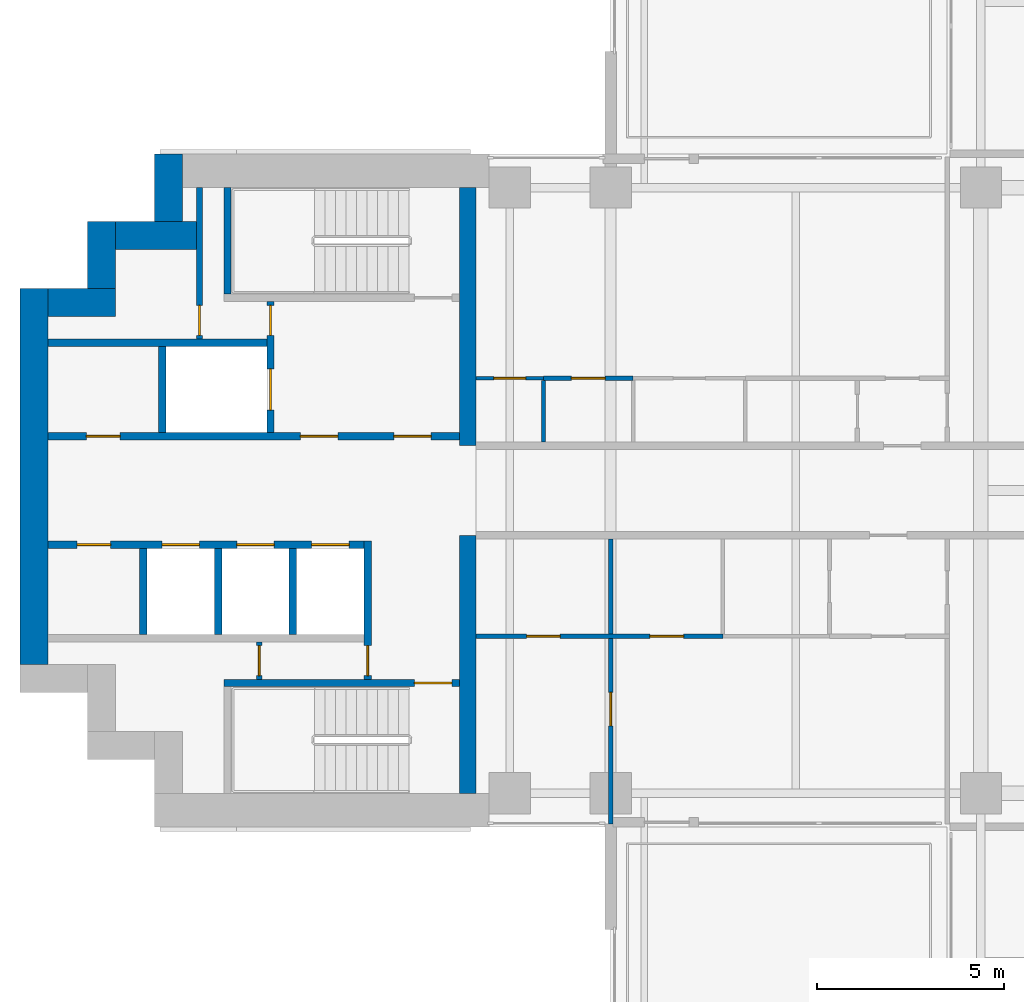
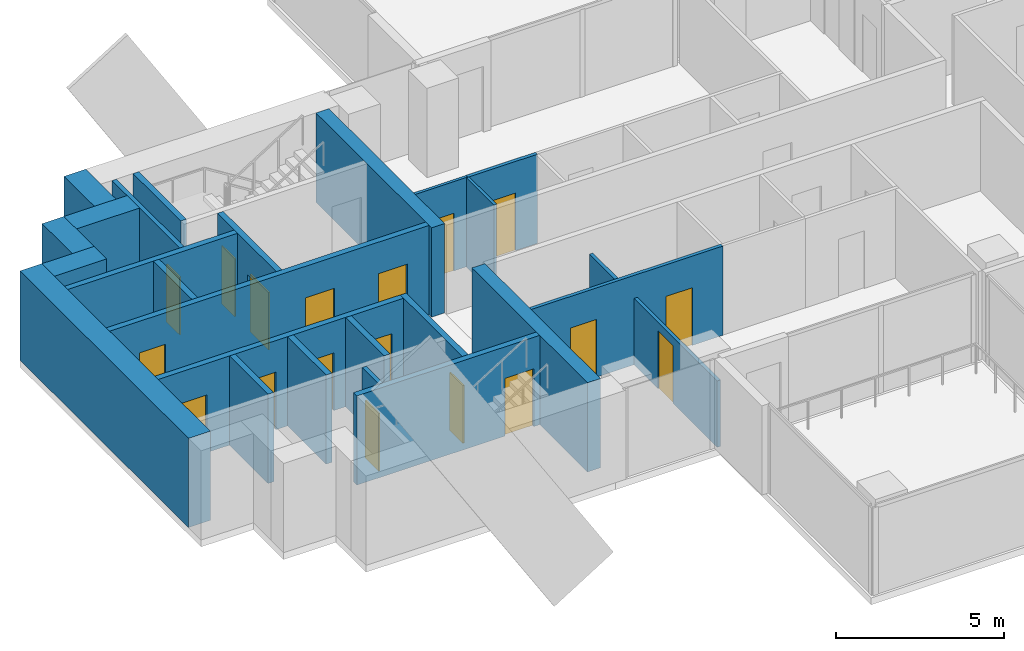
# One storey, part 9 of 19: 25 walls, 18 doors, 18 openings.
"""IFC4 building model written with IfcOpenShell, lengths in metres."""

from ifc_helpers import new_model, si_unit, direction, frame, frame_2d, origin, place, context, subcontext, project, spatial, rectangle, extrude, material, layer, layer_set, type_object, element, fill, save


model = new_model("IFC4")

# Units and contexts
model_context = context("Model", 3, precision=1e-05, world=origin(), true_north=direction((0.0, 1.0)))
body_context = subcontext(model_context, "Body", "Model", "MODEL_VIEW")
ifc_project = project(units=[si_unit("LENGTHUNIT", "METRE"), si_unit("AREAUNIT", "SQUARE_METRE"), si_unit("VOLUMEUNIT", "CUBIC_METRE"), si_unit("PLANEANGLEUNIT", "RADIAN"), si_unit("MASSUNIT", "GRAM", prefix="KILO")], contexts=[model_context])

# Site, building, storey
site_placement = place(None, origin())
site = spatial("IfcSite", under=ifc_project, at=site_placement, CompositionType="ELEMENT")
building_placement = place(site_placement, origin())
building = spatial("IfcBuilding", under=site, at=building_placement, Name="Perihelion Cross Residences", CompositionType="ELEMENT")
storey_placement = place(building_placement, frame((0.0, 0.0, 126.89990234375)))
storey = spatial("IfcBuildingStorey", under=building, at=storey_placement, Name="L30", CompositionType="ELEMENT", Elevation=126.89990234375)

# Walls
ifc_material_1 = material(Name="Concrete C60/75", Category="concrete")
ifc_layer_1 = layer(ifc_material_1, 0.449951171875)
ifc_layer_set_1 = layer_set([ifc_layer_1], Name="Core wall, inner 450")
wall_type_1 = type_object("IfcWallType", Name="Core wall, inner 450", PredefinedType="SHEAR", material=ifc_layer_set_1)
for number, where, z_axis, x_axis, name in (
    (1, (-21.824951171875, -8.10009765625, 0.0), (0.0, 0.0, 1.0), (0.0, 1.0, 0.0), "West core core wall, inner"),
    (2, (-21.824951171875, 1.199951171875, 0.0), (0.0, 0.0, 1.0), (0.0, 1.0, 0.0), "West core core wall, inner"),
):
    element("IfcWall", number, at=place(storey_placement, frame(where, z_axis=z_axis, x_axis=x_axis)), inside=storey, type_object=wall_type_1, Name=name, PredefinedType="SHEAR", context=body_context, shape_type="SweptSolid", body=[
        extrude(rectangle(XDim=6.900146484375, YDim=0.449951171875, at=frame_2d((3.4501953125, 0.0))), origin(), (0.0, 0.0, 1.0), 3.25),
    ])
ifc_material_2 = material(Name="Concrete C60/75", Category="concrete")
ifc_layer_2 = layer(ifc_material_2, 0.75)
ifc_layer_set_2 = layer_set([ifc_layer_2], Name="Core wall, outer 750")
wall_type_2 = type_object("IfcWallType", Name="Core wall, outer 750", PredefinedType="SHEAR", material=ifc_layer_set_2)
wall_1_placement = place(storey_placement, frame((-33.425048828125, -4.64990234375, 0.0), z_axis=(0.0, 0.0, 1.0), x_axis=(0.0, 1.0, 0.0)))
element("IfcWall", 3, at=wall_1_placement, inside=storey, type_object=wall_type_2, Name="West core core wall, outer", PredefinedType="SHEAR", context=body_context, shape_type="SweptSolid", body=[
    extrude(rectangle(XDim=10.0498046875, YDim=0.75, at=frame_2d((5.02490234375, 0.0))), origin(), (0.0, 0.0, 1.0), 3.25),
])
for number, where, z_axis, x_axis, name in (
    (4, (-33.050048828125, 5.02490234375, 0.0), (0.0, 0.0, 1.0), (1.0, 0.0, 0.0), "West core core wall, outer"),
    (5, (-31.625, 5.39990234375, 0.0), (0.0, 0.0, 1.0), (0.0, 1.0, 0.0), "West core core wall, outer"),
):
    element("IfcWall", number, at=place(storey_placement, frame(where, z_axis=z_axis, x_axis=x_axis)), inside=storey, type_object=wall_type_2, Name=name, PredefinedType="SHEAR", context=body_context, shape_type="SweptSolid", body=[
        extrude(rectangle(XDim=1.800048828125, YDim=0.75, at=frame_2d((0.89990234375, 0.0))), origin(), (0.0, 0.0, 1.0), 3.25),
    ])
wall_2_placement = place(storey_placement, frame((-31.25, 6.824951171875, 0.0), z_axis=(0.0, 0.0, 1.0), x_axis=(1.0, 0.0, 0.0)))
element("IfcWall", 6, at=wall_2_placement, inside=storey, type_object=wall_type_2, Name="West core core wall, outer", PredefinedType="SHEAR", context=body_context, shape_type="SweptSolid", body=[
    extrude(rectangle(XDim=2.175048828125, YDim=0.75, at=frame_2d((1.08740234375, 0.0))), origin(), (0.0, 0.0, 1.0), 3.25),
])
wall_3_placement = place(storey_placement, frame((-29.824951171875, 7.199951171875, 0.0), z_axis=(0.0, 0.0, 1.0), x_axis=(0.0, 1.0, 0.0)))
element("IfcWall", 7, at=wall_3_placement, inside=storey, type_object=wall_type_2, Name="West core core wall, outer", PredefinedType="SHEAR", context=body_context, shape_type="SweptSolid", body=[
    extrude(rectangle(XDim=1.800048828125, YDim=0.75, at=frame_2d((0.89990234375, 0.0))), origin(), (0.0, 0.0, 1.0), 3.25),
])

# Wall, opening, door
ifc_material_3 = material(Name="Concrete C50/60", Category="concrete")
ifc_layer_3 = layer(ifc_material_3, 0.199951171875)
ifc_layer_set_3 = layer_set([ifc_layer_3], Name="Lobby wall 200")
wall_type_3 = type_object("IfcWallType", Name="Lobby wall 200", PredefinedType="SOLIDWALL", material=ifc_layer_set_3)
wall_4_placement = place(storey_placement, frame((-24.5, -5.050048828125, 0.0), z_axis=(0.0, 0.0, 1.0), x_axis=(0.0, 1.0, 0.0)))
wall_4 = element("IfcWall", 8, at=wall_4_placement, inside=storey, type_object=wall_type_3, Name="West core lobby wall", PredefinedType="SOLIDWALL", context=body_context, shape_type="SweptSolid", body=[
    extrude(rectangle(XDim=3.699951171875, YDim=0.199951171875, at=frame_2d((1.85009765625, 0.0))), origin(), (0.0, 0.0, 1.0), 3.25),
])
opening_1_placement = place(wall_4_placement, frame((0.10009765625, 0.0, 0.0)))
opening_1 = element("IfcOpeningElement", 9, at=opening_1_placement, cuts=wall_4, Name="Opening L30.C22", PredefinedType="OPENING", context=body_context, shape_type="SweptSolid", body=[
    extrude(rectangle(XDim=0.800048828125, YDim=2.10009765625, at=frame_2d((0.39990234375, 1.050048828125))), frame((0.0, 0.10986328125, 0.0), z_axis=(0.0, -1.0, 0.0), x_axis=(1.0, 0.0, 0.0)), (0.0, 0.0, 1.0), 0.219970703125),
])
ifc_material_4 = material(Name="Steel, powder coated", Category="steel")
door_type_1 = type_object("IfcDoorType", Name="Riser door 800", OperationType="SINGLE_SWING_LEFT", PredefinedType="DOOR", material=ifc_material_4)
door_1_placement = place(opening_1_placement, origin())
door_1 = element("IfcDoor", 10, at=door_1_placement, inside=storey, type_object=door_type_1, Name="West core riser door", OperationType="SINGLE_SWING_LEFT", OverallHeight=2.10009765625, OverallWidth=0.800048828125, PredefinedType="DOOR", context=body_context, shape_type="SweptSolid", body=[
    extrude(rectangle(XDim=0.800048828125, YDim=2.10009765625, at=frame_2d((0.39990234375, 1.050048828125))), frame((0.0, 0.02490234375, 0.0), z_axis=(0.0, -1.0, 0.0), x_axis=(1.0, 0.0, 0.0)), (0.0, 0.0, 1.0), 0.050048828125),
])
fill(opening_1, door_1)

ifc_material_5 = material(Name="Plasterboard partition")
ifc_layer_4 = layer(ifc_material_5, 0.1201171875)
ifc_layer_set_4 = layer_set([ifc_layer_4], Name="Partition wall 120")
wall_type_4 = type_object("IfcWallType", Name="Partition wall 120", PredefinedType="PARTITIONING", material=ifc_layer_set_4)
wall_5_placement = place(storey_placement, frame((-19.800048828125, 3.0, 0.0), z_axis=(0.0, 0.0, 1.0), x_axis=(1.0, 0.0, 0.0)))
wall_5 = element("IfcWall", 11, at=wall_5_placement, inside=storey, type_object=wall_type_4, Name="Partition L30 W048", PredefinedType="PARTITIONING", context=body_context, shape_type="SweptSolid", body=[
    extrude(rectangle(XDim=2.400146484375, YDim=0.1201171875, at=frame_2d((1.2001953125, 0.0))), origin(), (0.0, 0.0, 1.0), 3.25),
])
opening_2_placement = place(wall_5_placement, frame((0.75, 0.0, 0.0)))
opening_2 = element("IfcOpeningElement", 12, at=opening_2_placement, cuts=wall_5, Name="Opening L30.A24", PredefinedType="OPENING", context=body_context, shape_type="SweptSolid", body=[
    extrude(rectangle(XDim=0.89990234375, YDim=2.10009765625, at=frame_2d((0.449951171875, 1.050048828125))), frame((0.0, 0.070068359375, 0.0), z_axis=(0.0, -1.0, 0.0), x_axis=(1.0, 0.0, 0.0)), (0.0, 0.0, 1.0), 0.14013671875),
])
ifc_material_6 = material(Name="Timber door leaf", Category="wood")
door_type_2 = type_object("IfcDoorType", Name="Interior room door 900 x 2100", OperationType="SINGLE_SWING_LEFT", PredefinedType="DOOR", material=ifc_material_6)
door_2_placement = place(opening_2_placement, origin())
door_2 = element("IfcDoor", 13, at=door_2_placement, inside=storey, type_object=door_type_2, Name="Door L30.A24", OperationType="SINGLE_SWING_LEFT", OverallHeight=2.10009765625, OverallWidth=0.89990234375, PredefinedType="DOOR", context=body_context, shape_type="SweptSolid", body=[
    extrude(rectangle(XDim=0.89990234375, YDim=2.10009765625, at=frame_2d((0.449951171875, 1.050048828125))), frame((0.0, 0.02490234375, 0.0), z_axis=(0.0, -1.0, 0.0), x_axis=(1.0, 0.0, 0.0)), (0.0, 0.0, 1.0), 0.050048828125),
])
fill(opening_2, door_2)

wall_6_placement = place(storey_placement, frame((-18.0, -8.919921875, 0.0), z_axis=(0.0, 0.0, 1.0), x_axis=(0.0, 1.0, 0.0)))
wall_6 = element("IfcWall", 14, at=wall_6_placement, inside=storey, type_object=wall_type_4, Name="Partition L30 W058", PredefinedType="PARTITIONING", context=body_context, shape_type="SweptSolid", body=[
    extrude(rectangle(XDim=7.619873046875, YDim=0.1201171875, at=frame_2d((3.81005859375, 0.0))), origin(), (0.0, 0.0, 1.0), 2.4140625),
])
opening_3_placement = place(wall_6_placement, frame((2.6201171875, 0.0, 0.0)))
opening_3 = element("IfcOpeningElement", 15, at=opening_3_placement, cuts=wall_6, Name="Opening L30.A29", PredefinedType="OPENING", context=body_context, shape_type="SweptSolid", body=[
    extrude(rectangle(XDim=0.89990234375, YDim=2.10009765625, at=frame_2d((0.449951171875, 1.050048828125))), frame((0.0, 0.070068359375, 0.0), z_axis=(0.0, -1.0, 0.0), x_axis=(1.0, 0.0, 0.0)), (0.0, 0.0, 1.0), 0.14013671875),
])
door_3_placement = place(opening_3_placement, origin())
door_3 = element("IfcDoor", 16, at=door_3_placement, inside=storey, type_object=door_type_2, Name="Door L30.A29", OperationType="SINGLE_SWING_RIGHT", OverallHeight=2.10009765625, OverallWidth=0.89990234375, PredefinedType="DOOR", context=body_context, shape_type="SweptSolid", body=[
    extrude(rectangle(XDim=0.89990234375, YDim=2.10009765625, at=frame_2d((0.449951171875, 1.050048828125))), frame((0.0, 0.02490234375, 0.0), z_axis=(0.0, -1.0, 0.0), x_axis=(1.0, 0.0, 0.0)), (0.0, 0.0, 1.0), 0.050048828125),
])
fill(opening_3, door_3)

# Wall, openings, doors
wall_7_placement = place(storey_placement, frame((-15.0, -3.89990234375, 0.0), z_axis=(0.0, 0.0, 1.0), x_axis=(-1.0, 0.0, 0.0)))
wall_7 = element("IfcWall", 17, at=wall_7_placement, inside=storey, type_object=wall_type_4, Name="Partition L30 W059", PredefinedType="PARTITIONING", context=body_context, shape_type="SweptSolid", body=[
    extrude(rectangle(XDim=6.60009765625, YDim=0.1201171875, at=frame_2d((3.300048828125, 0.0))), origin(), (0.0, 0.0, 1.0), 3.25),
])
opening_4_placement = place(wall_7_placement, frame((1.050048828125, 0.0, 0.0)))
opening_4 = element("IfcOpeningElement", 18, at=opening_4_placement, cuts=wall_7, Name="Opening L30.A26", PredefinedType="OPENING", context=body_context, shape_type="SweptSolid", body=[
    extrude(rectangle(XDim=0.89990234375, YDim=2.10009765625, at=frame_2d((0.449951171875, 1.050048828125))), frame((0.0, 0.070068359375, 0.0), z_axis=(0.0, -1.0, 0.0), x_axis=(1.0, 0.0, 0.0)), (0.0, 0.0, 1.0), 0.14013671875),
])
opening_5_placement = place(wall_7_placement, frame((4.35009765625, 0.0, 0.0)))
opening_5 = element("IfcOpeningElement", 19, at=opening_5_placement, cuts=wall_7, Name="Opening L30.A30", PredefinedType="OPENING", context=body_context, shape_type="SweptSolid", body=[
    extrude(rectangle(XDim=0.89990234375, YDim=2.10009765625, at=frame_2d((0.449951171875, 1.050048828125))), frame((0.0, 0.070068359375, 0.0), z_axis=(0.0, -1.0, 0.0), x_axis=(1.0, 0.0, 0.0)), (0.0, 0.0, 1.0), 0.14013671875),
])
door_4_placement = place(opening_4_placement, origin())
door_4 = element("IfcDoor", 20, at=door_4_placement, inside=storey, type_object=door_type_2, Name="Door L30.A26", OperationType="SINGLE_SWING_LEFT", OverallHeight=2.10009765625, OverallWidth=0.89990234375, PredefinedType="DOOR", context=body_context, shape_type="SweptSolid", body=[
    extrude(rectangle(XDim=0.89990234375, YDim=2.10009765625, at=frame_2d((0.449951171875, 1.050048828125))), frame((0.0, 0.02490234375, 0.0), z_axis=(0.0, -1.0, 0.0), x_axis=(1.0, 0.0, 0.0)), (0.0, 0.0, 1.0), 0.050048828125),
])
fill(opening_4, door_4)
door_5_placement = place(opening_5_placement, origin())
door_5 = element("IfcDoor", 21, at=door_5_placement, inside=storey, type_object=door_type_2, Name="Door L30.A30", OperationType="SINGLE_SWING_LEFT", OverallHeight=2.10009765625, OverallWidth=0.89990234375, PredefinedType="DOOR", context=body_context, shape_type="SweptSolid", body=[
    extrude(rectangle(XDim=0.89990234375, YDim=2.10009765625, at=frame_2d((0.449951171875, 1.050048828125))), frame((0.0, 0.02490234375, 0.0), z_axis=(0.0, -1.0, 0.0), x_axis=(1.0, 0.0, 0.0)), (0.0, 0.0, 1.0), 0.050048828125),
])
fill(opening_5, door_5)

# Wall, opening, door
ifc_material_7 = material(Name="Fire-rated board on steel stud", Category="steel")
ifc_layer_5 = layer(ifc_material_7, 0.14990234375)
ifc_layer_set_5 = layer_set([ifc_layer_5], Name="Riser wall 150")
wall_type_5 = type_object("IfcWallType", Name="Riser wall 150", PredefinedType="PARTITIONING", material=ifc_layer_set_5)
wall_8_placement = place(storey_placement, frame((-29.0, 4.050048828125, 0.0), z_axis=(0.0, 0.0, 1.0), x_axis=(0.0, 1.0, 0.0)))
wall_8 = element("IfcWall", 22, at=wall_8_placement, inside=storey, type_object=wall_type_5, Name="West core riser wall", PredefinedType="PARTITIONING", context=body_context, shape_type="SweptSolid", body=[
    extrude(rectangle(XDim=4.050048828125, YDim=0.14990234375, at=frame_2d((2.02490234375, 0.0))), origin(), (0.0, 0.0, 1.0), 3.25),
])
opening_6_placement = place(wall_8_placement, frame((0.10009765625, 0.0, 0.0)))
opening_6 = element("IfcOpeningElement", 23, at=opening_6_placement, cuts=wall_8, Name="Opening L30.C26", PredefinedType="OPENING", context=body_context, shape_type="SweptSolid", body=[
    extrude(rectangle(XDim=0.800048828125, YDim=2.10009765625, at=frame_2d((0.39990234375, 1.050048828125))), frame((0.0, 0.0849609375, 0.0), z_axis=(0.0, -1.0, 0.0), x_axis=(1.0, 0.0, 0.0)), (0.0, 0.0, 1.0), 0.169921875),
])
door_6_placement = place(opening_6_placement, origin())
door_6 = element("IfcDoor", 24, at=door_6_placement, inside=storey, type_object=door_type_1, Name="West core riser door", OperationType="SINGLE_SWING_LEFT", OverallHeight=2.10009765625, OverallWidth=0.800048828125, PredefinedType="DOOR", context=body_context, shape_type="SweptSolid", body=[
    extrude(rectangle(XDim=0.800048828125, YDim=2.10009765625, at=frame_2d((0.39990234375, 1.050048828125))), frame((0.0, 0.02490234375, 0.0), z_axis=(0.0, -1.0, 0.0), x_axis=(1.0, 0.0, 0.0)), (0.0, 0.0, 1.0), 0.050048828125),
])
fill(opening_6, door_6)

wall_9_placement = place(storey_placement, frame((-27.39990234375, -5.050048828125, 0.0), z_axis=(0.0, 0.0, 1.0), x_axis=(0.0, 1.0, 0.0)))
wall_9 = element("IfcWall", 25, at=wall_9_placement, inside=storey, type_object=wall_type_5, Name="West core riser wall", PredefinedType="PARTITIONING", context=body_context, shape_type="SweptSolid", body=[
    extrude(rectangle(XDim=1.0, YDim=0.14990234375, at=frame_2d((0.5, 0.0))), origin(), (0.0, 0.0, 1.0), 3.25),
])
opening_7_placement = place(wall_9_placement, frame((0.10009765625, 0.0, 0.0)))
opening_7 = element("IfcOpeningElement", 26, at=opening_7_placement, cuts=wall_9, Name="Opening L30.C25", PredefinedType="OPENING", context=body_context, shape_type="SweptSolid", body=[
    extrude(rectangle(XDim=0.800048828125, YDim=2.10009765625, at=frame_2d((0.39990234375, 1.050048828125))), frame((0.0, 0.0849609375, 0.0), z_axis=(0.0, -1.0, 0.0), x_axis=(1.0, 0.0, 0.0)), (0.0, 0.0, 1.0), 0.169921875),
])
door_7_placement = place(opening_7_placement, origin())
door_7 = element("IfcDoor", 27, at=door_7_placement, inside=storey, type_object=door_type_1, Name="West core riser door", OperationType="SINGLE_SWING_LEFT", OverallHeight=2.10009765625, OverallWidth=0.800048828125, PredefinedType="DOOR", context=body_context, shape_type="SweptSolid", body=[
    extrude(rectangle(XDim=0.800048828125, YDim=2.10009765625, at=frame_2d((0.39990234375, 1.050048828125))), frame((0.0, 0.02490234375, 0.0), z_axis=(0.0, -1.0, 0.0), x_axis=(1.0, 0.0, 0.0)), (0.0, 0.0, 1.0), 0.050048828125),
])
fill(opening_7, door_7)

# Wall, openings, doors
ifc_material_8 = material(Name="Concrete C50/60", Category="concrete")
ifc_layer_6 = layer(ifc_material_8, 0.199951171875)
ifc_layer_set_6 = layer_set([ifc_layer_6], Name="Shaft wall 200")
wall_type_6 = type_object("IfcWallType", Name="Shaft wall 200", PredefinedType="SOLIDWALL", material=ifc_layer_set_6)
wall_10_placement = place(storey_placement, frame((-33.050048828125, 1.449951171875, 0.0), z_axis=(0.0, 0.0, 1.0), x_axis=(1.0, 0.0, 0.0)))
wall_10 = element("IfcWall", 28, at=wall_10_placement, inside=storey, type_object=wall_type_6, Name="West core shaft wall", PredefinedType="SOLIDWALL", context=body_context, shape_type="SweptSolid", body=[
    extrude(rectangle(XDim=11.0, YDim=0.199951171875, at=frame_2d((5.5, 0.0))), origin(), (0.0, 0.0, 1.0), 3.25),
])
opening_8_placement = place(wall_10_placement, frame((9.25, 0.0, 0.0)))
opening_8 = element("IfcOpeningElement", 29, at=opening_8_placement, cuts=wall_10, Name="Opening L30.C21", PredefinedType="OPENING", context=body_context, shape_type="SweptSolid", body=[
    extrude(rectangle(XDim=1.0, YDim=2.10009765625, at=frame_2d((0.5, 1.050048828125))), frame((0.0, 0.10986328125, 0.0), z_axis=(0.0, -1.0, 0.0), x_axis=(1.0, 0.0, 0.0)), (0.0, 0.0, 1.0), 0.219970703125),
])
opening_9_placement = place(wall_10_placement, frame((6.75, 0.0, 0.0)))
opening_9 = element("IfcOpeningElement", 30, at=opening_9_placement, cuts=wall_10, Name="Opening L30.C23", PredefinedType="OPENING", context=body_context, shape_type="SweptSolid", body=[
    extrude(rectangle(XDim=1.0, YDim=2.10009765625, at=frame_2d((0.5, 1.050048828125))), frame((0.0, 0.10986328125, 0.0), z_axis=(0.0, -1.0, 0.0), x_axis=(1.0, 0.0, 0.0)), (0.0, 0.0, 1.0), 0.219970703125),
])
opening_10_placement = place(wall_10_placement, frame((1.02490234375, 0.0, 0.0)))
opening_10 = element("IfcOpeningElement", 31, at=opening_10_placement, cuts=wall_10, Name="Opening L30.C27", PredefinedType="OPENING", context=body_context, shape_type="SweptSolid", body=[
    extrude(rectangle(XDim=0.89990234375, YDim=2.10009765625, at=frame_2d((0.449951171875, 1.050048828125))), frame((0.0, 0.10986328125, 0.0), z_axis=(0.0, -1.0, 0.0), x_axis=(1.0, 0.0, 0.0)), (0.0, 0.0, 1.0), 0.219970703125),
])
ifc_material_9 = material(Name="Steel, powder coated", Category="steel")
door_type_3 = type_object("IfcDoorType", Name="Lobby door 1000", OperationType="SINGLE_SWING_LEFT", PredefinedType="DOOR", material=ifc_material_9)
door_8_placement = place(opening_8_placement, origin())
door_8 = element("IfcDoor", 32, at=door_8_placement, inside=storey, type_object=door_type_3, Name="West core firefighting lobby door", OperationType="SINGLE_SWING_LEFT", OverallHeight=2.10009765625, OverallWidth=1.0, PredefinedType="DOOR", context=body_context, shape_type="SweptSolid", body=[
    extrude(rectangle(XDim=1.0, YDim=2.10009765625, at=frame_2d((0.5, 1.050048828125))), frame((0.0, 0.02490234375, 0.0), z_axis=(0.0, -1.0, 0.0), x_axis=(1.0, 0.0, 0.0)), (0.0, 0.0, 1.0), 0.050048828125),
])
fill(opening_8, door_8)
door_9_placement = place(opening_9_placement, origin())
door_9 = element("IfcDoor", 33, at=door_9_placement, inside=storey, type_object=door_type_3, Name="West core firefighting lobby door", OperationType="SINGLE_SWING_LEFT", OverallHeight=2.10009765625, OverallWidth=1.0, PredefinedType="DOOR", context=body_context, shape_type="SweptSolid", body=[
    extrude(rectangle(XDim=1.0, YDim=2.10009765625, at=frame_2d((0.5, 1.050048828125))), frame((0.0, 0.02490234375, 0.0), z_axis=(0.0, -1.0, 0.0), x_axis=(1.0, 0.0, 0.0)), (0.0, 0.0, 1.0), 0.050048828125),
])
fill(opening_9, door_9)
ifc_material_10 = material(Name="Steel, powder coated", Category="steel")
door_type_4 = type_object("IfcDoorType", Name="Service room door 900", OperationType="SINGLE_SWING_LEFT", PredefinedType="DOOR", material=ifc_material_10)
door_10_placement = place(opening_10_placement, origin())
door_10 = element("IfcDoor", 34, at=door_10_placement, inside=storey, type_object=door_type_4, Name="West core service room door", OperationType="SINGLE_SWING_LEFT", OverallHeight=2.10009765625, OverallWidth=0.89990234375, PredefinedType="DOOR", context=body_context, shape_type="SweptSolid", body=[
    extrude(rectangle(XDim=0.89990234375, YDim=2.10009765625, at=frame_2d((0.449951171875, 1.050048828125))), frame((0.0, 0.02490234375, 0.0), z_axis=(0.0, -1.0, 0.0), x_axis=(1.0, 0.0, 0.0)), (0.0, 0.0, 1.0), 0.050048828125),
])
fill(opening_10, door_10)

wall_11_placement = place(storey_placement, frame((-33.050048828125, -1.449951171875, 0.0), z_axis=(0.0, 0.0, 1.0), x_axis=(1.0, 0.0, 0.0)))
wall_11 = element("IfcWall", 35, at=wall_11_placement, inside=storey, type_object=wall_type_6, Name="West core shaft wall", PredefinedType="SOLIDWALL", context=body_context, shape_type="SweptSolid", body=[
    extrude(rectangle(XDim=8.449951171875, YDim=0.199951171875, at=frame_2d((4.22509765625, 0.0))), origin(), (0.0, 0.0, 1.0), 3.25),
])
opening_11_placement = place(wall_11_placement, frame((7.050048828125, 0.0, 0.0)))
opening_11 = element("IfcOpeningElement", 36, at=opening_11_placement, cuts=wall_11, Name="Opening L30.C15", PredefinedType="OPENING", context=body_context, shape_type="SweptSolid", body=[
    extrude(rectangle(XDim=1.0, YDim=2.10009765625, at=frame_2d((0.5, 1.050048828125))), frame((0.0, 0.10986328125, 0.0), z_axis=(0.0, -1.0, 0.0), x_axis=(1.0, 0.0, 0.0)), (0.0, 0.0, 1.0), 0.219970703125),
])
opening_12_placement = place(wall_11_placement, frame((5.050048828125, 0.0, 0.0)))
opening_12 = element("IfcOpeningElement", 37, at=opening_12_placement, cuts=wall_11, Name="Opening L30.C17", PredefinedType="OPENING", context=body_context, shape_type="SweptSolid", body=[
    extrude(rectangle(XDim=1.0, YDim=2.10009765625, at=frame_2d((0.5, 1.050048828125))), frame((0.0, 0.10986328125, 0.0), z_axis=(0.0, -1.0, 0.0), x_axis=(1.0, 0.0, 0.0)), (0.0, 0.0, 1.0), 0.219970703125),
])
opening_13_placement = place(wall_11_placement, frame((3.050048828125, 0.0, 0.0)))
opening_13 = element("IfcOpeningElement", 38, at=opening_13_placement, cuts=wall_11, Name="Opening L30.C18", PredefinedType="OPENING", context=body_context, shape_type="SweptSolid", body=[
    extrude(rectangle(XDim=1.0, YDim=2.10009765625, at=frame_2d((0.5, 1.050048828125))), frame((0.0, 0.10986328125, 0.0), z_axis=(0.0, -1.0, 0.0), x_axis=(1.0, 0.0, 0.0)), (0.0, 0.0, 1.0), 0.219970703125),
])
opening_14_placement = place(wall_11_placement, frame((0.77490234375, 0.0, 0.0)))
opening_14 = element("IfcOpeningElement", 39, at=opening_14_placement, cuts=wall_11, Name="Opening L30.C28", PredefinedType="OPENING", context=body_context, shape_type="SweptSolid", body=[
    extrude(rectangle(XDim=0.89990234375, YDim=2.10009765625, at=frame_2d((0.449951171875, 1.050048828125))), frame((0.0, 0.10986328125, 0.0), z_axis=(0.0, -1.0, 0.0), x_axis=(1.0, 0.0, 0.0)), (0.0, 0.0, 1.0), 0.219970703125),
])
ifc_material_11 = material(Name="Stainless steel", Category="steel")
door_type_5 = type_object("IfcDoorType", Name="Landing door 1000", OperationType="DOUBLE_DOOR_SLIDING", PredefinedType="DOOR", material=ifc_material_11)
door_11_placement = place(opening_11_placement, origin())
door_11 = element("IfcDoor", 40, at=door_11_placement, inside=storey, type_object=door_type_5, Name="Landing door, West core high-rise lift 1", OperationType="DOUBLE_DOOR_SLIDING", OverallHeight=2.10009765625, OverallWidth=1.0, PredefinedType="DOOR", context=body_context, shape_type="SweptSolid", body=[
    extrude(rectangle(XDim=1.0, YDim=2.10009765625, at=frame_2d((0.5, 1.050048828125))), frame((0.0, 0.02490234375, 0.0), z_axis=(0.0, -1.0, 0.0), x_axis=(1.0, 0.0, 0.0)), (0.0, 0.0, 1.0), 0.050048828125),
])
fill(opening_11, door_11)
door_12_placement = place(opening_12_placement, origin())
door_12 = element("IfcDoor", 41, at=door_12_placement, inside=storey, type_object=door_type_5, Name="Landing door, West core high-rise lift 2", OperationType="DOUBLE_DOOR_SLIDING", OverallHeight=2.10009765625, OverallWidth=1.0, PredefinedType="DOOR", context=body_context, shape_type="SweptSolid", body=[
    extrude(rectangle(XDim=1.0, YDim=2.10009765625, at=frame_2d((0.5, 1.050048828125))), frame((0.0, 0.02490234375, 0.0), z_axis=(0.0, -1.0, 0.0), x_axis=(1.0, 0.0, 0.0)), (0.0, 0.0, 1.0), 0.050048828125),
])
fill(opening_12, door_12)
door_13_placement = place(opening_13_placement, origin())
door_13 = element("IfcDoor", 42, at=door_13_placement, inside=storey, type_object=door_type_5, Name="Landing door, West core high-rise lift 3", OperationType="DOUBLE_DOOR_SLIDING", OverallHeight=2.10009765625, OverallWidth=1.0, PredefinedType="DOOR", context=body_context, shape_type="SweptSolid", body=[
    extrude(rectangle(XDim=1.0, YDim=2.10009765625, at=frame_2d((0.5, 1.050048828125))), frame((0.0, 0.02490234375, 0.0), z_axis=(0.0, -1.0, 0.0), x_axis=(1.0, 0.0, 0.0)), (0.0, 0.0, 1.0), 0.050048828125),
])
fill(opening_13, door_13)
door_14_placement = place(opening_14_placement, origin())
door_14 = element("IfcDoor", 43, at=door_14_placement, inside=storey, type_object=door_type_4, Name="West core service room door", OperationType="SINGLE_SWING_LEFT", OverallHeight=2.10009765625, OverallWidth=0.89990234375, PredefinedType="DOOR", context=body_context, shape_type="SweptSolid", body=[
    extrude(rectangle(XDim=0.89990234375, YDim=2.10009765625, at=frame_2d((0.449951171875, 1.050048828125))), frame((0.0, 0.02490234375, 0.0), z_axis=(0.0, -1.0, 0.0), x_axis=(1.0, 0.0, 0.0)), (0.0, 0.0, 1.0), 0.050048828125),
])
fill(opening_14, door_14)

# Wall
wall_12_placement = place(storey_placement, frame((-33.050048828125, 3.949951171875, 0.0), z_axis=(0.0, 0.0, 1.0), x_axis=(1.0, 0.0, 0.0)))
element("IfcWall", 44, at=wall_12_placement, inside=storey, type_object=wall_type_6, Name="West core shaft wall", PredefinedType="SOLIDWALL", context=body_context, shape_type="SweptSolid", body=[
    extrude(rectangle(XDim=5.85009765625, YDim=0.199951171875, at=frame_2d((2.925048828125, 0.0))), origin(), (0.0, 0.0, 1.0), 3.25),
])

# Wall, openings, doors
wall_13_placement = place(storey_placement, frame((-27.10009765625, 1.550048828125, 0.0), z_axis=(0.0, 0.0, 1.0), x_axis=(0.0, 1.0, 0.0)))
wall_13 = element("IfcWall", 45, at=wall_13_placement, inside=storey, type_object=wall_type_6, Name="West core shaft wall", PredefinedType="SOLIDWALL", context=body_context, shape_type="SweptSolid", body=[
    extrude(rectangle(XDim=3.5, YDim=0.199951171875, at=frame_2d((1.75, 0.0))), origin(), (0.0, 0.0, 1.0), 3.25),
])
opening_15_placement = place(wall_13_placement, frame((0.60009765625, 0.0, 0.0)))
opening_15 = element("IfcOpeningElement", 46, at=opening_15_placement, cuts=wall_13, Name="Opening L30.C16", PredefinedType="OPENING", context=body_context, shape_type="SweptSolid", body=[
    extrude(rectangle(XDim=1.10009765625, YDim=2.10009765625, at=frame_2d((0.550048828125, 1.050048828125))), frame((0.0, 0.10986328125, 0.0), z_axis=(0.0, -1.0, 0.0), x_axis=(1.0, 0.0, 0.0)), (0.0, 0.0, 1.0), 0.219970703125),
])
opening_16_placement = place(wall_13_placement, frame((2.60009765625, 0.0, 0.0)))
opening_16 = element("IfcOpeningElement", 47, at=opening_16_placement, cuts=wall_13, Name="Opening L30.C24", PredefinedType="OPENING", context=body_context, shape_type="SweptSolid", body=[
    extrude(rectangle(XDim=0.800048828125, YDim=2.10009765625, at=frame_2d((0.39990234375, 1.050048828125))), frame((0.0, 0.10986328125, 0.0), z_axis=(0.0, -1.0, 0.0), x_axis=(1.0, 0.0, 0.0)), (0.0, 0.0, 1.0), 0.219970703125),
])
ifc_material_12 = material(Name="Stainless steel", Category="steel")
door_type_6 = type_object("IfcDoorType", Name="Landing door, firefighting lift 1100", OperationType="DOUBLE_DOOR_SLIDING", PredefinedType="DOOR", material=ifc_material_12)
door_15_placement = place(opening_15_placement, origin())
door_15 = element("IfcDoor", 48, at=door_15_placement, inside=storey, type_object=door_type_6, Name="Landing door, West core firefighting and service lift", OperationType="DOUBLE_DOOR_SLIDING", OverallHeight=2.10009765625, OverallWidth=1.10009765625, PredefinedType="DOOR", context=body_context, shape_type="SweptSolid", body=[
    extrude(rectangle(XDim=1.10009765625, YDim=2.10009765625, at=frame_2d((0.550048828125, 1.050048828125))), frame((0.0, 0.02490234375, 0.0), z_axis=(0.0, -1.0, 0.0), x_axis=(1.0, 0.0, 0.0)), (0.0, 0.0, 1.0), 0.050048828125),
])
fill(opening_15, door_15)
door_16_placement = place(opening_16_placement, origin())
door_16 = element("IfcDoor", 49, at=door_16_placement, inside=storey, type_object=door_type_1, Name="West core riser door", OperationType="SINGLE_SWING_LEFT", OverallHeight=2.10009765625, OverallWidth=0.800048828125, PredefinedType="DOOR", context=body_context, shape_type="SweptSolid", body=[
    extrude(rectangle(XDim=0.800048828125, YDim=2.10009765625, at=frame_2d((0.39990234375, 1.050048828125))), frame((0.0, 0.02490234375, 0.0), z_axis=(0.0, -1.0, 0.0), x_axis=(1.0, 0.0, 0.0)), (0.0, 0.0, 1.0), 0.050048828125),
])
fill(opening_16, door_16)

# Walls
for number, where, z_axis, x_axis, name in (
    (50, (-30.0, 1.550048828125, 0.0), (0.0, 0.0, 1.0), (0.0, 1.0, 0.0), "West core shaft wall"),
    (51, (-26.5, -3.85009765625, 0.0), (0.0, 0.0, 1.0), (0.0, 1.0, 0.0), "West core shaft wall"),
    (52, (-28.5, -3.85009765625, 0.0), (0.0, 0.0, 1.0), (0.0, 1.0, 0.0), "West core shaft wall"),
    (53, (-30.5, -3.85009765625, 0.0), (0.0, 0.0, 1.0), (0.0, 1.0, 0.0), "West core shaft wall"),
):
    element("IfcWall", number, at=place(storey_placement, frame(where, z_axis=z_axis, x_axis=x_axis)), inside=storey, type_object=wall_type_6, Name=name, PredefinedType="SOLIDWALL", context=body_context, shape_type="SweptSolid", body=[
        extrude(rectangle(XDim=2.300048828125, YDim=0.199951171875, at=frame_2d((1.14990234375, 0.0))), origin(), (0.0, 0.0, 1.0), 3.25),
    ])

# Wall, opening, door
ifc_material_13 = material(Name="Concrete C50/60", Category="concrete")
ifc_layer_7 = layer(ifc_material_13, 0.199951171875)
ifc_layer_set_7 = layer_set([ifc_layer_7], Name="Stair wall 200")
wall_type_7 = type_object("IfcWallType", Name="Stair wall 200", PredefinedType="SOLIDWALL", material=ifc_layer_set_7)
wall_14_placement = place(storey_placement, frame((-28.35009765625, -5.14990234375, 0.0), z_axis=(0.0, 0.0, 1.0), x_axis=(1.0, 0.0, 0.0)))
wall_14 = element("IfcWall", 54, at=wall_14_placement, inside=storey, type_object=wall_type_7, Name="West core stair wall", PredefinedType="SOLIDWALL", context=body_context, shape_type="SweptSolid", body=[
    extrude(rectangle(XDim=6.300048828125, YDim=0.199951171875, at=frame_2d((3.14990234375, 0.0))), origin(), (0.0, 0.0, 1.0), 3.25),
])
opening_17_placement = place(wall_14_placement, frame((5.10009765625, 0.0, 0.0)))
opening_17 = element("IfcOpeningElement", 55, at=opening_17_placement, cuts=wall_14, Name="Opening L30.C19", PredefinedType="OPENING", context=body_context, shape_type="SweptSolid", body=[
    extrude(rectangle(XDim=1.0, YDim=2.10009765625, at=frame_2d((0.5, 1.050048828125))), frame((0.0, 0.10986328125, 0.0), z_axis=(0.0, -1.0, 0.0), x_axis=(1.0, 0.0, 0.0)), (0.0, 0.0, 1.0), 0.219970703125),
])
ifc_material_14 = material(Name="Steel, powder coated", Category="steel")
door_type_7 = type_object("IfcDoorType", Name="Stair door 1000", OperationType="SINGLE_SWING_LEFT", PredefinedType="DOOR", material=ifc_material_14)
door_17_placement = place(opening_17_placement, origin())
door_17 = element("IfcDoor", 56, at=door_17_placement, inside=storey, type_object=door_type_7, Name="West core stair door", OperationType="SINGLE_SWING_LEFT", OverallHeight=2.10009765625, OverallWidth=1.0, PredefinedType="DOOR", context=body_context, shape_type="SweptSolid", body=[
    extrude(rectangle(XDim=1.0, YDim=2.10009765625, at=frame_2d((0.5, 1.050048828125))), frame((0.0, 0.02490234375, 0.0), z_axis=(0.0, -1.0, 0.0), x_axis=(1.0, 0.0, 0.0)), (0.0, 0.0, 1.0), 0.050048828125),
])
fill(opening_17, door_17)

# Walls
wall_15_placement = place(storey_placement, frame((-28.25, 5.25, 0.0), z_axis=(0.0, 0.0, 1.0), x_axis=(0.0, 1.0, 0.0)))
element("IfcWall", 57, at=wall_15_placement, inside=storey, type_object=wall_type_7, Name="West core stair wall", PredefinedType="SOLIDWALL", context=body_context, shape_type="SweptSolid", body=[
    extrude(rectangle(XDim=2.85009765625, YDim=0.199951171875, at=frame_2d((1.425048828125, 0.0))), origin(), (0.0, 0.0, 1.0), 3.25),
])
ifc_material_15 = material(Name="Plasterboard partition")
ifc_layer_8 = layer(ifc_material_15, 0.10009765625)
ifc_layer_set_8 = layer_set([ifc_layer_8], Name="Wet room wall 100")
wall_type_8 = type_object("IfcWallType", Name="Wet room wall 100", PredefinedType="PARTITIONING", material=ifc_layer_set_8)
wall_16_placement = place(storey_placement, frame((-19.800048828125, 1.300048828125, 0.0), z_axis=(0.0, 0.0, 1.0), x_axis=(0.0, 1.0, 0.0)))
element("IfcWall", 58, at=wall_16_placement, inside=storey, type_object=wall_type_8, Name="Partition L30 W047", PredefinedType="PARTITIONING", context=body_context, shape_type="SweptSolid", body=[
    extrude(rectangle(XDim=1.639892578125, YDim=0.10009765625, at=frame_2d((0.81982421875, 0.0))), origin(), (0.0, 0.0, 1.0), 3.25),
])

# Wall, opening, door
wall_17_placement = place(storey_placement, frame((-21.60009765625, 3.0, 0.0), z_axis=(0.0, 0.0, 1.0), x_axis=(1.0, 0.0, 0.0)))
wall_17 = element("IfcWall", 59, at=wall_17_placement, inside=storey, type_object=wall_type_8, Name="Partition L30 W049", PredefinedType="PARTITIONING", context=body_context, shape_type="SweptSolid", body=[
    extrude(rectangle(XDim=1.800048828125, YDim=0.10009765625, at=frame_2d((0.89990234375, 0.0))), origin(), (0.0, 0.0, 1.0), 3.25),
])
opening_18_placement = place(wall_17_placement, frame((0.47509765625, 0.0, 0.0)))
opening_18 = element("IfcOpeningElement", 60, at=opening_18_placement, cuts=wall_17, Name="Opening L30.A22", PredefinedType="OPENING", context=body_context, shape_type="SweptSolid", body=[
    extrude(rectangle(XDim=0.85009765625, YDim=2.10009765625, at=frame_2d((0.425048828125, 1.050048828125))), frame((0.0, 0.06005859375, 0.0), z_axis=(0.0, -1.0, 0.0), x_axis=(1.0, 0.0, 0.0)), (0.0, 0.0, 1.0), 0.1201171875),
])
ifc_material_16 = material(Name="Timber door leaf", Category="wood")
door_type_8 = type_object("IfcDoorType", Name="Interior bathroom door 850 x 2100", OperationType="SINGLE_SWING_LEFT", PredefinedType="DOOR", material=ifc_material_16)
door_18_placement = place(opening_18_placement, origin())
door_18 = element("IfcDoor", 61, at=door_18_placement, inside=storey, type_object=door_type_8, Name="Door L30.A22", OperationType="SINGLE_SWING_LEFT", OverallHeight=2.10009765625, OverallWidth=0.85009765625, PredefinedType="DOOR", context=body_context, shape_type="SweptSolid", body=[
    extrude(rectangle(XDim=0.85009765625, YDim=2.10009765625, at=frame_2d((0.425048828125, 1.050048828125))), frame((0.0, 0.02490234375, 0.0), z_axis=(0.0, -1.0, 0.0), x_axis=(1.0, 0.0, 0.0)), (0.0, 0.0, 1.0), 0.050048828125),
])
fill(opening_18, door_18)

save(model, "model.ifc")
